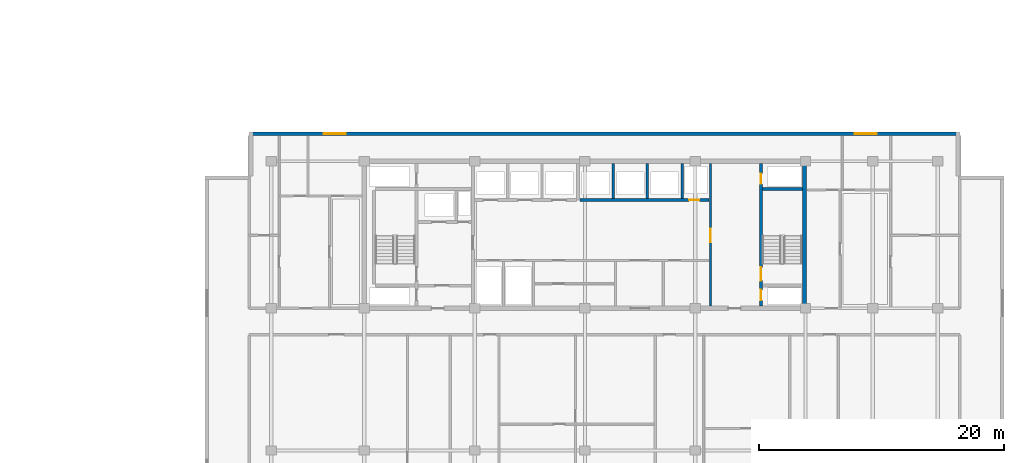
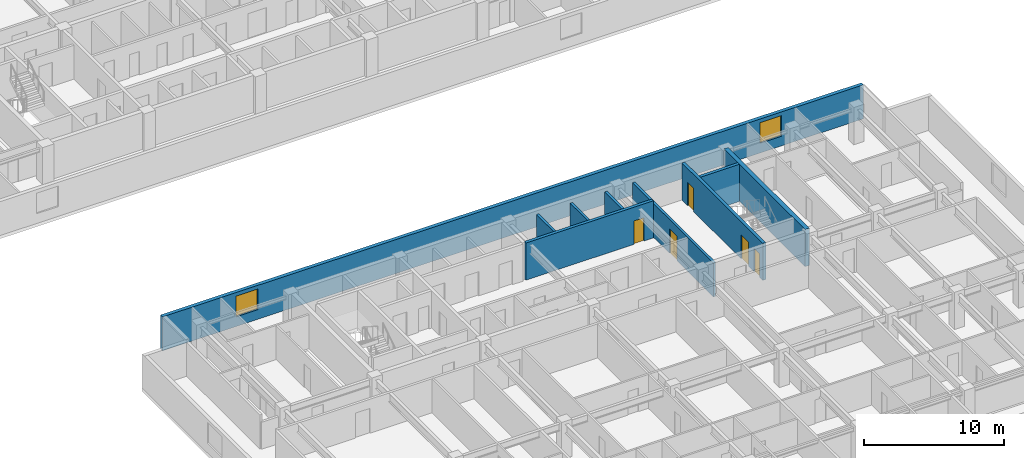
# One storey, part 8 of 22: 9 walls, 5 doors, 2 windows, 7 openings.
"""IFC4 building model written with IfcOpenShell, lengths in metres."""

from ifc_helpers import new_model, si_unit, direction, frame, frame_2d, origin, place, context, subcontext, project, spatial, rectangle, extrude, material, layer, layer_set, type_object, element, fill, save


model = new_model("IFC4")

# Units and contexts
model_context = context("Model", 3, precision=1e-05, world=origin(), true_north=direction((0.0, 1.0)))
body_context = subcontext(model_context, "Body", "Model", "MODEL_VIEW")
ifc_project = project(units=[si_unit("LENGTHUNIT", "METRE"), si_unit("AREAUNIT", "SQUARE_METRE"), si_unit("VOLUMEUNIT", "CUBIC_METRE"), si_unit("PLANEANGLEUNIT", "RADIAN"), si_unit("MASSUNIT", "GRAM", prefix="KILO")], contexts=[model_context])

# Site, building, storey
site_placement = place(None, origin())
site = spatial("IfcSite", under=ifc_project, at=site_placement, CompositionType="ELEMENT")
building_placement = place(site_placement, origin())
building = spatial("IfcBuilding", under=site, at=building_placement, Name="Korimba Cascade Residences", CompositionType="ELEMENT")
storey_placement = place(building_placement, frame((0.0, 0.0, 90.550048828125)))
storey = spatial("IfcBuildingStorey", under=building, at=storey_placement, Name="L25", CompositionType="ELEMENT", Elevation=90.550048828125)

# Wall, openings, windows
ifc_material_1 = material(Name="Precast concrete C40/50", Category="concrete")
ifc_layer_1 = layer(ifc_material_1, 0.300048828125)
ifc_layer_set_1 = layer_set([ifc_layer_1], Name="Precast concrete C40/50")
wall_type_1 = type_object("IfcWallType", Name="EW-STONE-300", PredefinedType="STANDARD", material=ifc_layer_set_1)
wall_1_placement = place(storey_placement, frame((130.699951171875, 32.64990234375, 0.0), z_axis=(0.0, 0.0, 1.0), x_axis=(-1.0, 0.0, 0.0)))
wall_1 = element("IfcWall", 1, at=wall_1_placement, inside=storey, type_object=wall_type_1, Name="L25 T2 Perimeter Stone Wall E06", PredefinedType="STANDARD", context=body_context, shape_type="SweptSolid", body=[
    extrude(rectangle(XDim=58.0, YDim=0.300048828125, at=frame_2d((29.0, 0.0))), origin(), (0.0, 0.0, 1.0), 2.969970703125),
])
opening_1_placement = place(wall_1_placement, frame((50.125, 0.0, 0.85009765625)))
opening_1 = element("IfcOpeningElement", 2, at=opening_1_placement, cuts=wall_1, Name="Opening W-02", PredefinedType="OPENING", context=body_context, shape_type="SweptSolid", body=[
    extrude(rectangle(XDim=1.800048828125, YDim=1.800048828125, at=frame_2d((0.89990234375, 0.89990234375))), frame((0.0, 0.16015625, 0.0), z_axis=(0.0, -1.0, 0.0), x_axis=(1.0, 0.0, 0.0)), (0.0, 0.0, 1.0), 0.320068359375),
])
opening_2_placement = place(wall_1_placement, frame((6.77490234375, 0.0, 0.85009765625)))
opening_2 = element("IfcOpeningElement", 3, at=opening_2_placement, cuts=wall_1, Name="Opening W-02", PredefinedType="OPENING", context=body_context, shape_type="SweptSolid", body=[
    extrude(rectangle(XDim=1.800048828125, YDim=1.800048828125, at=frame_2d((0.89990234375, 0.89990234375))), frame((0.0, 0.16015625, 0.0), z_axis=(0.0, -1.0, 0.0), x_axis=(1.0, 0.0, 0.0)), (0.0, 0.0, 1.0), 0.320068359375),
])
ifc_material_2 = material(Name="Double-Glazed Aluminium Window", Category="aluminium")
window_type = type_object("IfcWindowType", Name="WIN-BED-1800", PartitioningType="SINGLE_PANEL", PredefinedType="WINDOW", material=ifc_material_2)
window_1_placement = place(opening_1_placement, origin())
window_1 = element("IfcWindow", 4, at=window_1_placement, inside=storey, type_object=window_type, Name="L25 T2 North Corner Bedroom Window 1", OverallHeight=1.800048828125, OverallWidth=1.800048828125, PartitioningType="SINGLE_PANEL", PredefinedType="WINDOW", context=body_context, shape_type="SweptSolid", body=[
    extrude(rectangle(XDim=1.800048828125, YDim=1.800048828125, at=frame_2d((0.89990234375, 0.89990234375))), frame((0.0, 0.030029296875, 0.0), z_axis=(0.0, -1.0, 0.0), x_axis=(1.0, 0.0, 0.0)), (0.0, 0.0, 1.0), 0.06005859375),
])
fill(opening_1, window_1)
window_2_placement = place(opening_2_placement, origin())
window_2 = element("IfcWindow", 5, at=window_2_placement, inside=storey, type_object=window_type, Name="L25 T2 North Corner Bedroom Window 2", OverallHeight=1.800048828125, OverallWidth=1.800048828125, PartitioningType="SINGLE_PANEL", PredefinedType="WINDOW", context=body_context, shape_type="SweptSolid", body=[
    extrude(rectangle(XDim=1.800048828125, YDim=1.800048828125, at=frame_2d((0.89990234375, 0.89990234375))), frame((0.0, 0.030029296875, 0.0), z_axis=(0.0, -1.0, 0.0), x_axis=(1.0, 0.0, 0.0)), (0.0, 0.0, 1.0), 0.06005859375),
])
fill(opening_2, window_2)

# Walls
ifc_material_3 = material(Name="Concrete C65/80", Category="concrete")
ifc_layer_2 = layer(ifc_material_3, 0.35009765625)
ifc_layer_set_2 = layer_set([ifc_layer_2], Name="Concrete C65/80")
wall_type_2 = type_object("IfcWallType", Name="WAL-CORE-350", PredefinedType="SHEAR", material=ifc_layer_set_2)
wall_2_placement = place(storey_placement, frame((118.014892578125, 18.574951171875, 0.0), z_axis=(0.0, 0.0, 1.0), x_axis=(0.0, 1.0, 0.0)))
element("IfcWall", 6, at=wall_2_placement, inside=storey, type_object=wall_type_2, Name="L25 Core Shear Wall CW-L25-T2-E", PredefinedType="SHEAR", context=body_context, shape_type="SweptSolid", body=[
    extrude(rectangle(XDim=11.650146484375, YDim=0.35009765625, at=frame_2d((5.8251953125, 0.0))), origin(), (0.0, 0.0, 1.0), 3.25),
])
ifc_material_4 = material(Name="Concrete C40/50", Category="concrete")
ifc_layer_3 = layer(ifc_material_4, 0.199951171875)
ifc_layer_set_3 = layer_set([ifc_layer_3], Name="Concrete C40/50")
wall_type_3 = type_object("IfcWallType", Name="WAL-PART-200", PredefinedType="PARTITIONING", material=ifc_layer_set_3)
for number, where, z_axis, x_axis, name in (
    (7, (102.39990234375, 27.3798828125, 0.0), (0.0, 0.0, 1.0), (0.0, 1.0, 0.0), "L25 Partition Wall CW-L25-T2-B2D1"),
    (8, (105.199951171875, 27.3798828125, 0.0), (0.0, 0.0, 1.0), (0.0, 1.0, 0.0), "L25 Partition Wall CW-L25-T2-B2D2"),
    (9, (108.050048828125, 27.3798828125, 0.0), (0.0, 0.0, 1.0), (0.0, 1.0, 0.0), "L25 Partition Wall CW-L25-T2-B2D3"),
):
    element("IfcWall", number, at=place(storey_placement, frame(where, z_axis=z_axis, x_axis=x_axis)), inside=storey, type_object=wall_type_3, Name=name, PredefinedType="PARTITIONING", context=body_context, shape_type="SweptSolid", body=[
        extrude(rectangle(XDim=2.820068359375, YDim=0.199951171875, at=frame_2d((1.41015625, 0.0))), origin(), (0.0, 0.0, 1.0), 2.969970703125),
    ])

# Wall, opening, door
wall_3_placement = place(storey_placement, frame((110.35009765625, 18.60009765625, 0.0), z_axis=(0.0, 0.0, 1.0), x_axis=(0.0, 1.0, 0.0)))
wall_3 = element("IfcWall", 10, at=wall_3_placement, inside=storey, type_object=wall_type_3, Name="L25 Partition Wall CW-L25-T2-LLEV", PredefinedType="PARTITIONING", context=body_context, shape_type="SweptSolid", body=[
    extrude(rectangle(XDim=11.599853515625, YDim=0.199951171875, at=frame_2d((5.7998046875, 0.0))), origin(), (0.0, 0.0, 1.0), 2.969970703125),
])
opening_3_placement = place(wall_3_placement, frame((5.199951171875, 0.0, 0.0)))
opening_3 = element("IfcOpeningElement", 11, at=opening_3_placement, cuts=wall_3, Name="Opening D-FD6", PredefinedType="OPENING", context=body_context, shape_type="SweptSolid", body=[
    extrude(rectangle(XDim=1.10009765625, YDim=2.14990234375, at=frame_2d((0.550048828125, 1.074951171875))), frame((0.0, 0.10986328125, 0.0), z_axis=(0.0, -1.0, 0.0), x_axis=(1.0, 0.0, 0.0)), (0.0, 0.0, 1.0), 0.219970703125),
])
ifc_material_5 = material(Name="Fire-Rated Timber Stair Lobby Door", Category="wood")
door_type_1 = type_object("IfcDoorType", Name="DR-FD90-1100", OperationType="NOTDEFINED", PredefinedType="DOOR", material=ifc_material_5)
door_1_placement = place(opening_3_placement, origin())
door_1 = element("IfcDoor", 12, at=door_1_placement, inside=storey, type_object=door_type_1, Name="L25 T2 Lift Lobby to East Stair Lobby Door", OperationType="SINGLE_SWING_LEFT", OverallHeight=2.14990234375, OverallWidth=1.10009765625, PredefinedType="DOOR", context=body_context, shape_type="SweptSolid", body=[
    extrude(rectangle(XDim=1.10009765625, YDim=2.14990234375, at=frame_2d((0.550048828125, 1.074951171875))), frame((0.0, 0.02490234375, 0.0), z_axis=(0.0, -1.0, 0.0), x_axis=(1.0, 0.0, 0.0)), (0.0, 0.0, 1.0), 0.050048828125),
])
fill(opening_3, door_1)

ifc_material_6 = material(Name="Concrete C50/60", Category="concrete")
ifc_layer_4 = layer(ifc_material_6, 0.25)
ifc_layer_set_4 = layer_set([ifc_layer_4], Name="Concrete C50/60")
wall_type_4 = type_object("IfcWallType", Name="WAL-SHAFT-250", PredefinedType="SHEAR", material=ifc_layer_set_4)
wall_4_placement = place(storey_placement, frame((99.679931640625, 27.25, 0.0), z_axis=(0.0, 0.0, 1.0), x_axis=(1.0, 0.0, 0.0)))
wall_4 = element("IfcWall", 13, at=wall_4_placement, inside=storey, type_object=wall_type_4, Name="L25 Core Shear Wall CW-L25-T2-B2S", PredefinedType="SHEAR", context=body_context, shape_type="SweptSolid", body=[
    extrude(rectangle(XDim=10.5400390625, YDim=0.25, at=frame_2d((5.27001953125, 0.0))), origin(), (0.0, 0.0, 1.0), 3.25),
])
opening_4_placement = place(wall_4_placement, frame((8.919921875, 0.0, 0.0)))
opening_4 = element("IfcOpeningElement", 14, at=opening_4_placement, cuts=wall_4, Name="Opening D-RS1", PredefinedType="OPENING", context=body_context, shape_type="SweptSolid", body=[
    extrude(rectangle(XDim=0.85009765625, YDim=2.050048828125, at=frame_2d((0.425048828125, 1.02490234375))), frame((0.0, 0.135009765625, 0.0), z_axis=(0.0, -1.0, 0.0), x_axis=(1.0, 0.0, 0.0)), (0.0, 0.0, 1.0), 0.27001953125),
])
ifc_material_7 = material(Name="Fire-Rated Steel Riser Access Door", Category="steel")
door_type_2 = type_object("IfcDoorType", Name="DR-FD60-850", OperationType="NOTDEFINED", PredefinedType="DOOR", material=ifc_material_7)
door_2_placement = place(opening_4_placement, origin())
door_2 = element("IfcDoor", 15, at=door_2_placement, inside=storey, type_object=door_type_2, Name="L25 T2 Duct Door", OperationType="SINGLE_SWING_LEFT", OverallHeight=2.050048828125, OverallWidth=0.85009765625, PredefinedType="DOOR", context=body_context, shape_type="SweptSolid", body=[
    extrude(rectangle(XDim=0.85009765625, YDim=2.050048828125, at=frame_2d((0.425048828125, 1.02490234375))), frame((0.0, 0.02490234375, 0.0), z_axis=(0.0, -1.0, 0.0), x_axis=(1.0, 0.0, 0.0)), (0.0, 0.0, 1.0), 0.050048828125),
])
fill(opening_4, door_2)

# Wall, openings, doors
wall_5_placement = place(storey_placement, frame((114.47509765625, 18.60009765625, 0.0), z_axis=(0.0, 0.0, 1.0), x_axis=(0.0, 1.0, 0.0)))
wall_5 = element("IfcWall", 16, at=wall_5_placement, inside=storey, type_object=wall_type_4, Name="L25 Core Shear Wall CW-L25-T2-STE2W", PredefinedType="SHEAR", context=body_context, shape_type="SweptSolid", body=[
    extrude(rectangle(XDim=11.599853515625, YDim=0.25, at=frame_2d((5.7998046875, 0.0))), origin(), (0.0, 0.0, 1.0), 3.25),
])
opening_5_placement = place(wall_5_placement, frame((0.449951171875, 0.0, 0.0)))
opening_5 = element("IfcOpeningElement", 17, at=opening_5_placement, cuts=wall_5, Name="Opening D-RS1", PredefinedType="OPENING", context=body_context, shape_type="SweptSolid", body=[
    extrude(rectangle(XDim=0.85009765625, YDim=2.050048828125, at=frame_2d((0.425048828125, 1.02490234375))), frame((0.0, 0.135009765625, 0.0), z_axis=(0.0, -1.0, 0.0), x_axis=(1.0, 0.0, 0.0)), (0.0, 0.0, 1.0), 0.27001953125),
])
opening_6_placement = place(wall_5_placement, frame((2.050048828125, 0.0, 0.0)))
opening_6 = element("IfcOpeningElement", 18, at=opening_6_placement, cuts=wall_5, Name="Opening D-FD1", PredefinedType="OPENING", context=body_context, shape_type="SweptSolid", body=[
    extrude(rectangle(XDim=1.10009765625, YDim=2.10009765625, at=frame_2d((0.550048828125, 1.050048828125))), frame((0.0, 0.135009765625, 0.0), z_axis=(0.0, -1.0, 0.0), x_axis=(1.0, 0.0, 0.0)), (0.0, 0.0, 1.0), 0.27001953125),
])
opening_7_placement = place(wall_5_placement, frame((9.949951171875, 0.0, 0.0)))
opening_7 = element("IfcOpeningElement", 19, at=opening_7_placement, cuts=wall_5, Name="Opening D-RS1", PredefinedType="OPENING", context=body_context, shape_type="SweptSolid", body=[
    extrude(rectangle(XDim=0.85009765625, YDim=2.050048828125, at=frame_2d((0.425048828125, 1.02490234375))), frame((0.0, 0.135009765625, 0.0), z_axis=(0.0, -1.0, 0.0), x_axis=(1.0, 0.0, 0.0)), (0.0, 0.0, 1.0), 0.27001953125),
])
ifc_material_8 = material(Name="Fire-Rated Steel Core Door", Category="steel")
door_type_3 = type_object("IfcDoorType", Name="DR-FD120-1100", OperationType="NOTDEFINED", PredefinedType="DOOR", material=ifc_material_8)
door_3_placement = place(opening_6_placement, origin())
door_3 = element("IfcDoor", 20, at=door_3_placement, inside=storey, type_object=door_type_3, Name="L25 Fire Stair ST-E2 Door", OperationType="SINGLE_SWING_LEFT", OverallHeight=2.10009765625, OverallWidth=1.10009765625, PredefinedType="DOOR", context=body_context, shape_type="SweptSolid", body=[
    extrude(rectangle(XDim=1.10009765625, YDim=2.10009765625, at=frame_2d((0.550048828125, 1.050048828125))), frame((0.0, 0.02490234375, 0.0), z_axis=(0.0, -1.0, 0.0), x_axis=(1.0, 0.0, 0.0)), (0.0, 0.0, 1.0), 0.050048828125),
])
fill(opening_6, door_3)
door_4_placement = place(opening_5_placement, origin())
door_4 = element("IfcDoor", 21, at=door_4_placement, inside=storey, type_object=door_type_2, Name="L25 T2 East Hydrant Door", OperationType="SINGLE_SWING_RIGHT", OverallHeight=2.050048828125, OverallWidth=0.85009765625, PredefinedType="DOOR", context=body_context, shape_type="SweptSolid", body=[
    extrude(rectangle(XDim=0.85009765625, YDim=2.050048828125, at=frame_2d((0.425048828125, 1.02490234375))), frame((0.0, 0.02490234375, 0.0), z_axis=(0.0, -1.0, 0.0), x_axis=(1.0, 0.0, 0.0)), (0.0, 0.0, 1.0), 0.050048828125),
])
fill(opening_5, door_4)
door_5_placement = place(opening_7_placement, origin())
door_5 = element("IfcDoor", 22, at=door_5_placement, inside=storey, type_object=door_type_2, Name="L25 T2 East Riser Door", OperationType="SINGLE_SWING_RIGHT", OverallHeight=2.050048828125, OverallWidth=0.85009765625, PredefinedType="DOOR", context=body_context, shape_type="SweptSolid", body=[
    extrude(rectangle(XDim=0.85009765625, YDim=2.050048828125, at=frame_2d((0.425048828125, 1.02490234375))), frame((0.0, 0.02490234375, 0.0), z_axis=(0.0, -1.0, 0.0), x_axis=(1.0, 0.0, 0.0)), (0.0, 0.0, 1.0), 0.050048828125),
])
fill(opening_7, door_5)

# Wall
wall_6_placement = place(storey_placement, frame((114.60009765625, 28.125, 0.0), z_axis=(0.0, 0.0, 1.0), x_axis=(1.0, 0.0, 0.0)))
element("IfcWall", 23, at=wall_6_placement, inside=storey, type_object=wall_type_4, Name="L25 Core Shear Wall CW-L25-T2-STE2N", PredefinedType="SHEAR", context=body_context, shape_type="SweptSolid", body=[
    extrude(rectangle(XDim=3.239990234375, YDim=0.25, at=frame_2d((1.6201171875, 0.0))), origin(), (0.0, 0.0, 1.0), 3.25),
])

save(model, "model.ifc")
